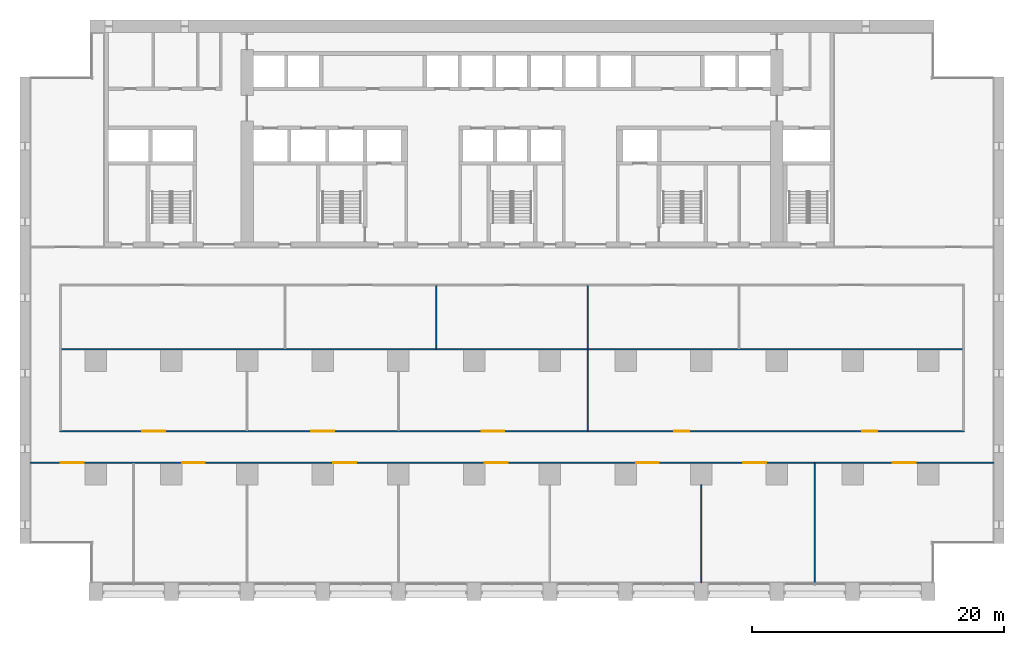
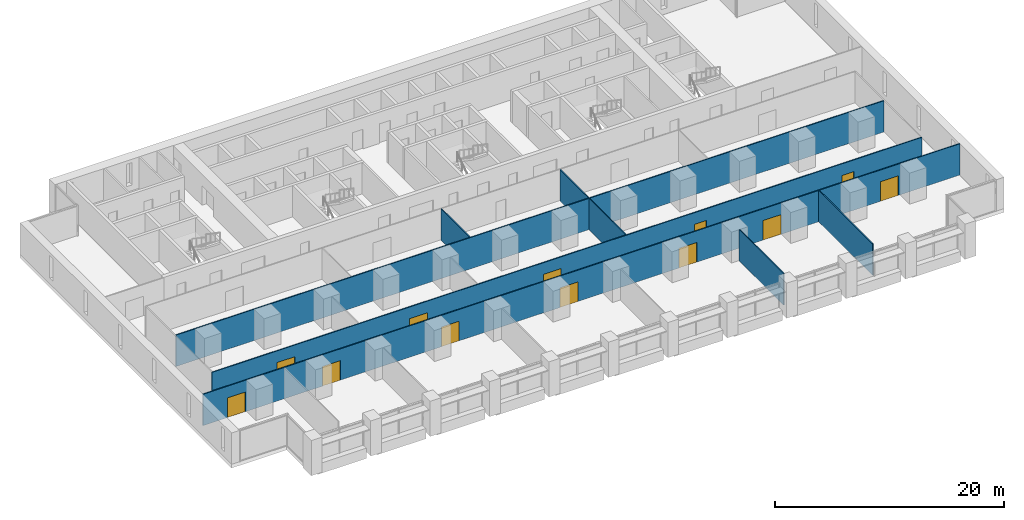
# One storey, part 9 of 18: 12 doors, 8 walls, 12 openings.
"""IFC4 building model written with IfcOpenShell, lengths in metres."""

from ifc_helpers import new_model, si_unit, direction, frame, frame_2d, origin, place, context, subcontext, project, spatial, rectangle, extrude, material, layer, layer_set, type_object, element, fill, save


model = new_model("IFC4")

# Units and contexts
model_context = context("Model", 3, precision=1e-05, world=origin(), true_north=direction((0.0, 1.0)))
body_context = subcontext(model_context, "Body", "Model", "MODEL_VIEW")
ifc_project = project(units=[si_unit("LENGTHUNIT", "METRE"), si_unit("AREAUNIT", "SQUARE_METRE"), si_unit("VOLUMEUNIT", "CUBIC_METRE"), si_unit("PLANEANGLEUNIT", "RADIAN"), si_unit("MASSUNIT", "GRAM", prefix="KILO")], contexts=[model_context])

# Site, building, storey
site_placement = place(None, origin())
site = spatial("IfcSite", under=ifc_project, at=site_placement, CompositionType="ELEMENT")
building_placement = place(site_placement, origin())
building = spatial("IfcBuilding", under=site, at=building_placement, Name="Calvaro Tower", CompositionType="ELEMENT")
storey_placement = place(building_placement, frame((0.0, 0.0, 52.5)))
storey = spatial("IfcBuildingStorey", under=building, at=storey_placement, Name="L12", CompositionType="ELEMENT", Elevation=52.5)

# Wall, openings, doors
ifc_material_1 = material(Name="Plasterboard on steel studs", Category="steel")
ifc_layer_1 = layer(ifc_material_1, 0.10009765625)
ifc_layer_set_1 = layer_set([ifc_layer_1], Name="Plasterboard on steel studs")
wall_type_1 = type_object("IfcWallType", Name="Partition 100", PredefinedType="PARTITIONING", material=ifc_layer_set_1)
wall_1_placement = place(storey_placement, frame((0.800048828125, 10.89990234375, 0.0), z_axis=(0.0, 0.0, 1.0), x_axis=(1.0, 0.0, 0.0)))
wall_1 = element("IfcWall", 1, at=wall_1_placement, inside=storey, type_object=wall_type_1, Name="Partition T11.W001", PredefinedType="PARTITIONING", context=body_context, shape_type="SweptSolid", body=[
    extrude(rectangle(XDim=76.39990234375, YDim=0.10009765625, at=frame_2d((38.199951171875, 0.0))), origin(), (0.0, 0.0, 1.0), 3.35009765625),
])
opening_1_placement = place(wall_1_placement, frame((12.050048828125, 0.0, 0.0)))
opening_1 = element("IfcOpeningElement", 2, at=opening_1_placement, cuts=wall_1, Name="Opening T11.001", PredefinedType="OPENING", context=body_context, shape_type="SweptSolid", body=[
    extrude(rectangle(XDim=1.800048828125, YDim=2.10009765625, at=frame_2d((0.89990234375, 1.050048828125))), frame((0.0, 0.06005859375, 0.0), z_axis=(0.0, -1.0, 0.0), x_axis=(1.0, 0.0, 0.0)), (0.0, 0.0, 1.0), 0.1201171875),
])
opening_2_placement = place(wall_1_placement, frame((56.550048828125, 0.0, 0.0)))
opening_2 = element("IfcOpeningElement", 3, at=opening_2_placement, cuts=wall_1, Name="Opening T11.002", PredefinedType="OPENING", context=body_context, shape_type="SweptSolid", body=[
    extrude(rectangle(XDim=1.800048828125, YDim=2.10009765625, at=frame_2d((0.89990234375, 1.050048828125))), frame((0.0, 0.06005859375, 0.0), z_axis=(0.0, -1.0, 0.0), x_axis=(1.0, 0.0, 0.0)), (0.0, 0.0, 1.0), 0.1201171875),
])
opening_3_placement = place(wall_1_placement, frame((24.050048828125, 0.0, 0.0)))
opening_3 = element("IfcOpeningElement", 4, at=opening_3_placement, cuts=wall_1, Name="Opening T11.003", PredefinedType="OPENING", context=body_context, shape_type="SweptSolid", body=[
    extrude(rectangle(XDim=1.800048828125, YDim=2.10009765625, at=frame_2d((0.89990234375, 1.050048828125))), frame((0.0, 0.06005859375, 0.0), z_axis=(0.0, -1.0, 0.0), x_axis=(1.0, 0.0, 0.0)), (0.0, 0.0, 1.0), 0.1201171875),
])
opening_4_placement = place(wall_1_placement, frame((36.050048828125, 0.0, 0.0)))
opening_4 = element("IfcOpeningElement", 5, at=opening_4_placement, cuts=wall_1, Name="Opening T11.004", PredefinedType="OPENING", context=body_context, shape_type="SweptSolid", body=[
    extrude(rectangle(XDim=1.800048828125, YDim=2.10009765625, at=frame_2d((0.89990234375, 1.050048828125))), frame((0.0, 0.06005859375, 0.0), z_axis=(0.0, -1.0, 0.0), x_axis=(1.0, 0.0, 0.0)), (0.0, 0.0, 1.0), 0.1201171875),
])
opening_5_placement = place(wall_1_placement, frame((48.050048828125, 0.0, 0.0)))
opening_5 = element("IfcOpeningElement", 6, at=opening_5_placement, cuts=wall_1, Name="Opening T11.005", PredefinedType="OPENING", context=body_context, shape_type="SweptSolid", body=[
    extrude(rectangle(XDim=1.800048828125, YDim=2.10009765625, at=frame_2d((0.89990234375, 1.050048828125))), frame((0.0, 0.06005859375, 0.0), z_axis=(0.0, -1.0, 0.0), x_axis=(1.0, 0.0, 0.0)), (0.0, 0.0, 1.0), 0.1201171875),
])
opening_6_placement = place(wall_1_placement, frame((68.39990234375, 0.0, 0.0)))
opening_6 = element("IfcOpeningElement", 7, at=opening_6_placement, cuts=wall_1, Name="Opening T11.006", PredefinedType="OPENING", context=body_context, shape_type="SweptSolid", body=[
    extrude(rectangle(XDim=1.800048828125, YDim=2.10009765625, at=frame_2d((0.89990234375, 1.050048828125))), frame((0.0, 0.06005859375, 0.0), z_axis=(0.0, -1.0, 0.0), x_axis=(1.0, 0.0, 0.0)), (0.0, 0.0, 1.0), 0.1201171875),
])
opening_7_placement = place(wall_1_placement, frame((2.449951171875, 0.0, 0.0)))
opening_7 = element("IfcOpeningElement", 8, at=opening_7_placement, cuts=wall_1, Name="Opening T11.007", PredefinedType="OPENING", context=body_context, shape_type="SweptSolid", body=[
    extrude(rectangle(XDim=1.800048828125, YDim=2.10009765625, at=frame_2d((0.89990234375, 1.050048828125))), frame((0.0, 0.06005859375, 0.0), z_axis=(0.0, -1.0, 0.0), x_axis=(1.0, 0.0, 0.0)), (0.0, 0.0, 1.0), 0.1201171875),
])
ifc_material_2 = material(Name="Timber", Category="wood")
door_type_1 = type_object("IfcDoorType", Name="Internal double door 1800 x 2100", OperationType="DOUBLE_DOOR_SINGLE_SWING", PredefinedType="DOOR", material=ifc_material_2)
door_1_placement = place(opening_1_placement, origin())
door_1 = element("IfcDoor", 9, at=door_1_placement, inside=storey, type_object=door_type_1, Name="Door T11.001", OperationType="DOUBLE_DOOR_SINGLE_SWING", OverallHeight=2.10009765625, OverallWidth=1.800048828125, PredefinedType="DOOR", context=body_context, shape_type="SweptSolid", body=[
    extrude(rectangle(XDim=1.800048828125, YDim=2.10009765625, at=frame_2d((0.89990234375, 1.050048828125))), frame((0.0, 0.02490234375, 0.0), z_axis=(0.0, -1.0, 0.0), x_axis=(1.0, 0.0, 0.0)), (0.0, 0.0, 1.0), 0.050048828125),
])
fill(opening_1, door_1)
door_2_placement = place(opening_2_placement, origin())
door_2 = element("IfcDoor", 10, at=door_2_placement, inside=storey, type_object=door_type_1, Name="Door T11.002", OperationType="DOUBLE_DOOR_SINGLE_SWING", OverallHeight=2.10009765625, OverallWidth=1.800048828125, PredefinedType="DOOR", context=body_context, shape_type="SweptSolid", body=[
    extrude(rectangle(XDim=1.800048828125, YDim=2.10009765625, at=frame_2d((0.89990234375, 1.050048828125))), frame((0.0, 0.02490234375, 0.0), z_axis=(0.0, -1.0, 0.0), x_axis=(1.0, 0.0, 0.0)), (0.0, 0.0, 1.0), 0.050048828125),
])
fill(opening_2, door_2)
door_3_placement = place(opening_3_placement, origin())
door_3 = element("IfcDoor", 11, at=door_3_placement, inside=storey, type_object=door_type_1, Name="Door T11.003", OperationType="DOUBLE_DOOR_SINGLE_SWING", OverallHeight=2.10009765625, OverallWidth=1.800048828125, PredefinedType="DOOR", context=body_context, shape_type="SweptSolid", body=[
    extrude(rectangle(XDim=1.800048828125, YDim=2.10009765625, at=frame_2d((0.89990234375, 1.050048828125))), frame((0.0, 0.02490234375, 0.0), z_axis=(0.0, -1.0, 0.0), x_axis=(1.0, 0.0, 0.0)), (0.0, 0.0, 1.0), 0.050048828125),
])
fill(opening_3, door_3)
door_4_placement = place(opening_4_placement, origin())
door_4 = element("IfcDoor", 12, at=door_4_placement, inside=storey, type_object=door_type_1, Name="Door T11.004", OperationType="DOUBLE_DOOR_SINGLE_SWING", OverallHeight=2.10009765625, OverallWidth=1.800048828125, PredefinedType="DOOR", context=body_context, shape_type="SweptSolid", body=[
    extrude(rectangle(XDim=1.800048828125, YDim=2.10009765625, at=frame_2d((0.89990234375, 1.050048828125))), frame((0.0, 0.02490234375, 0.0), z_axis=(0.0, -1.0, 0.0), x_axis=(1.0, 0.0, 0.0)), (0.0, 0.0, 1.0), 0.050048828125),
])
fill(opening_4, door_4)
door_5_placement = place(opening_5_placement, origin())
door_5 = element("IfcDoor", 13, at=door_5_placement, inside=storey, type_object=door_type_1, Name="Door T11.005", OperationType="DOUBLE_DOOR_SINGLE_SWING", OverallHeight=2.10009765625, OverallWidth=1.800048828125, PredefinedType="DOOR", context=body_context, shape_type="SweptSolid", body=[
    extrude(rectangle(XDim=1.800048828125, YDim=2.10009765625, at=frame_2d((0.89990234375, 1.050048828125))), frame((0.0, 0.02490234375, 0.0), z_axis=(0.0, -1.0, 0.0), x_axis=(1.0, 0.0, 0.0)), (0.0, 0.0, 1.0), 0.050048828125),
])
fill(opening_5, door_5)
door_6_placement = place(opening_6_placement, origin())
door_6 = element("IfcDoor", 14, at=door_6_placement, inside=storey, type_object=door_type_1, Name="Door T11.006", OperationType="DOUBLE_DOOR_SINGLE_SWING", OverallHeight=2.10009765625, OverallWidth=1.800048828125, PredefinedType="DOOR", context=body_context, shape_type="SweptSolid", body=[
    extrude(rectangle(XDim=1.800048828125, YDim=2.10009765625, at=frame_2d((0.89990234375, 1.050048828125))), frame((0.0, 0.02490234375, 0.0), z_axis=(0.0, -1.0, 0.0), x_axis=(1.0, 0.0, 0.0)), (0.0, 0.0, 1.0), 0.050048828125),
])
fill(opening_6, door_6)
door_7_placement = place(opening_7_placement, origin())
door_7 = element("IfcDoor", 15, at=door_7_placement, inside=storey, type_object=door_type_1, Name="Door T11.007", OperationType="DOUBLE_DOOR_SINGLE_SWING", OverallHeight=2.10009765625, OverallWidth=1.800048828125, PredefinedType="DOOR", context=body_context, shape_type="SweptSolid", body=[
    extrude(rectangle(XDim=1.800048828125, YDim=2.10009765625, at=frame_2d((0.89990234375, 1.050048828125))), frame((0.0, 0.02490234375, 0.0), z_axis=(0.0, -1.0, 0.0), x_axis=(1.0, 0.0, 0.0)), (0.0, 0.0, 1.0), 0.050048828125),
])
fill(opening_7, door_7)

wall_2_placement = place(storey_placement, frame((3.14990234375, 13.39990234375, 0.0), z_axis=(0.0, 0.0, 1.0), x_axis=(1.0, 0.0, 0.0)))
wall_2 = element("IfcWall", 16, at=wall_2_placement, inside=storey, type_object=wall_type_1, Name="Partition T11.W002", PredefinedType="PARTITIONING", context=body_context, shape_type="SweptSolid", body=[
    extrude(rectangle(XDim=71.7001953125, YDim=0.10009765625, at=frame_2d((35.85009765625, 0.0))), origin(), (0.0, 0.0, 1.0), 3.35009765625),
])
opening_8_placement = place(wall_2_placement, frame((6.550048828125, 0.0, 0.0)))
opening_8 = element("IfcOpeningElement", 17, at=opening_8_placement, cuts=wall_2, Name="Opening T11.008", PredefinedType="OPENING", context=body_context, shape_type="SweptSolid", body=[
    extrude(rectangle(XDim=1.800048828125, YDim=2.10009765625, at=frame_2d((0.89990234375, 1.050048828125))), frame((0.0, 0.06005859375, 0.0), z_axis=(0.0, -1.0, 0.0), x_axis=(1.0, 0.0, 0.0)), (0.0, 0.0, 1.0), 0.1201171875),
])
opening_9_placement = place(wall_2_placement, frame((33.449951171875, 0.0, 0.0)))
opening_9 = element("IfcOpeningElement", 18, at=opening_9_placement, cuts=wall_2, Name="Opening T11.009", PredefinedType="OPENING", context=body_context, shape_type="SweptSolid", body=[
    extrude(rectangle(XDim=1.800048828125, YDim=2.10009765625, at=frame_2d((0.89990234375, 1.050048828125))), frame((0.0, 0.06005859375, 0.0), z_axis=(0.0, -1.0, 0.0), x_axis=(1.0, 0.0, 0.0)), (0.0, 0.0, 1.0), 0.1201171875),
])
opening_10_placement = place(wall_2_placement, frame((48.699951171875, 0.0, 0.0)))
opening_10 = element("IfcOpeningElement", 19, at=opening_10_placement, cuts=wall_2, Name="Opening T11.010", PredefinedType="OPENING", context=body_context, shape_type="SweptSolid", body=[
    extrude(rectangle(XDim=1.199951171875, YDim=2.10009765625, at=frame_2d((0.60009765625, 1.050048828125))), frame((0.0, 0.06005859375, 0.0), z_axis=(0.0, -1.0, 0.0), x_axis=(1.0, 0.0, 0.0)), (0.0, 0.0, 1.0), 0.1201171875),
])
opening_11_placement = place(wall_2_placement, frame((63.60009765625, 0.0, 0.0)))
opening_11 = element("IfcOpeningElement", 20, at=opening_11_placement, cuts=wall_2, Name="Opening T11.011", PredefinedType="OPENING", context=body_context, shape_type="SweptSolid", body=[
    extrude(rectangle(XDim=1.199951171875, YDim=2.10009765625, at=frame_2d((0.60009765625, 1.050048828125))), frame((0.0, 0.06005859375, 0.0), z_axis=(0.0, -1.0, 0.0), x_axis=(1.0, 0.0, 0.0)), (0.0, 0.0, 1.0), 0.1201171875),
])
opening_12_placement = place(wall_2_placement, frame((19.949951171875, 0.0, 0.0)))
opening_12 = element("IfcOpeningElement", 21, at=opening_12_placement, cuts=wall_2, Name="Opening T11.012", PredefinedType="OPENING", context=body_context, shape_type="SweptSolid", body=[
    extrude(rectangle(XDim=1.800048828125, YDim=2.10009765625, at=frame_2d((0.89990234375, 1.050048828125))), frame((0.0, 0.06005859375, 0.0), z_axis=(0.0, -1.0, 0.0), x_axis=(1.0, 0.0, 0.0)), (0.0, 0.0, 1.0), 0.1201171875),
])
door_8_placement = place(opening_8_placement, origin())
door_8 = element("IfcDoor", 22, at=door_8_placement, inside=storey, type_object=door_type_1, Name="Door T11.008", OperationType="DOUBLE_DOOR_SINGLE_SWING", OverallHeight=2.10009765625, OverallWidth=1.800048828125, PredefinedType="DOOR", context=body_context, shape_type="SweptSolid", body=[
    extrude(rectangle(XDim=1.800048828125, YDim=2.10009765625, at=frame_2d((0.89990234375, 1.050048828125))), frame((0.0, 0.02490234375, 0.0), z_axis=(0.0, -1.0, 0.0), x_axis=(1.0, 0.0, 0.0)), (0.0, 0.0, 1.0), 0.050048828125),
])
fill(opening_8, door_8)
door_9_placement = place(opening_9_placement, origin())
door_9 = element("IfcDoor", 23, at=door_9_placement, inside=storey, type_object=door_type_1, Name="Door T11.009", OperationType="DOUBLE_DOOR_SINGLE_SWING", OverallHeight=2.10009765625, OverallWidth=1.800048828125, PredefinedType="DOOR", context=body_context, shape_type="SweptSolid", body=[
    extrude(rectangle(XDim=1.800048828125, YDim=2.10009765625, at=frame_2d((0.89990234375, 1.050048828125))), frame((0.0, 0.02490234375, 0.0), z_axis=(0.0, -1.0, 0.0), x_axis=(1.0, 0.0, 0.0)), (0.0, 0.0, 1.0), 0.050048828125),
])
fill(opening_9, door_9)
door_10_placement = place(opening_12_placement, origin())
door_10 = element("IfcDoor", 24, at=door_10_placement, inside=storey, type_object=door_type_1, Name="Door T11.012", OperationType="DOUBLE_DOOR_SINGLE_SWING", OverallHeight=2.10009765625, OverallWidth=1.800048828125, PredefinedType="DOOR", context=body_context, shape_type="SweptSolid", body=[
    extrude(rectangle(XDim=1.800048828125, YDim=2.10009765625, at=frame_2d((0.89990234375, 1.050048828125))), frame((0.0, 0.02490234375, 0.0), z_axis=(0.0, -1.0, 0.0), x_axis=(1.0, 0.0, 0.0)), (0.0, 0.0, 1.0), 0.050048828125),
])
fill(opening_12, door_10)
ifc_material_3 = material(Name="Timber", Category="wood")
door_type_2 = type_object("IfcDoorType", Name="Internal single door 1200 x 2100", OperationType="SINGLE_SWING_LEFT", PredefinedType="DOOR", material=ifc_material_3)
door_11_placement = place(opening_10_placement, origin())
door_11 = element("IfcDoor", 25, at=door_11_placement, inside=storey, type_object=door_type_2, Name="Door T11.010", OperationType="SINGLE_SWING_RIGHT", OverallHeight=2.10009765625, OverallWidth=1.199951171875, PredefinedType="DOOR", context=body_context, shape_type="SweptSolid", body=[
    extrude(rectangle(XDim=1.199951171875, YDim=2.10009765625, at=frame_2d((0.60009765625, 1.050048828125))), frame((0.0, 0.02490234375, 0.0), z_axis=(0.0, -1.0, 0.0), x_axis=(1.0, 0.0, 0.0)), (0.0, 0.0, 1.0), 0.050048828125),
])
fill(opening_10, door_11)
door_12_placement = place(opening_11_placement, origin())
door_12 = element("IfcDoor", 26, at=door_12_placement, inside=storey, type_object=door_type_2, Name="Door T11.011", OperationType="SINGLE_SWING_RIGHT", OverallHeight=2.10009765625, OverallWidth=1.199951171875, PredefinedType="DOOR", context=body_context, shape_type="SweptSolid", body=[
    extrude(rectangle(XDim=1.199951171875, YDim=2.10009765625, at=frame_2d((0.60009765625, 1.050048828125))), frame((0.0, 0.02490234375, 0.0), z_axis=(0.0, -1.0, 0.0), x_axis=(1.0, 0.0, 0.0)), (0.0, 0.0, 1.0), 0.050048828125),
])
fill(opening_11, door_12)

# Walls
wall_3_placement = place(storey_placement, frame((45.0, 13.449951171875, 0.0), z_axis=(0.0, 0.0, 1.0), x_axis=(0.0, 1.0, 0.0)))
element("IfcWall", 27, at=wall_3_placement, inside=storey, type_object=wall_type_1, Name="Partition T11.W016", PredefinedType="PARTITIONING", context=body_context, shape_type="SweptSolid", body=[
    extrude(rectangle(XDim=6.400146484375, YDim=0.10009765625, at=frame_2d((3.2001953125, 0.0))), origin(), (0.0, 0.0, 1.0), 3.35009765625),
])
wall_4_placement = place(storey_placement, frame((54.0, 1.39990234375, 0.0), z_axis=(0.0, 0.0, 1.0), x_axis=(0.0, 1.0, 0.0)))
element("IfcWall", 28, at=wall_4_placement, inside=storey, type_object=wall_type_1, Name="Partition T11.W018", PredefinedType="PARTITIONING", context=body_context, shape_type="SweptSolid", body=[
    extrude(rectangle(XDim=7.75, YDim=0.10009765625, at=frame_2d((3.875, 0.0))), origin(), (0.0, 0.0, 1.0), 3.35009765625),
])
wall_5_placement = place(storey_placement, frame((63.0, 1.39990234375, 0.0), z_axis=(0.0, 0.0, 1.0), x_axis=(0.0, 1.0, 0.0)))
element("IfcWall", 29, at=wall_5_placement, inside=storey, type_object=wall_type_1, Name="Partition T11.W020", PredefinedType="PARTITIONING", context=body_context, shape_type="SweptSolid", body=[
    extrude(rectangle(XDim=9.4501953125, YDim=0.10009765625, at=frame_2d((4.72509765625, 0.0))), origin(), (0.0, 0.0, 1.0), 3.35009765625),
])
ifc_material_4 = material(Name="Plasterboard on steel studs", Category="steel")
ifc_layer_2 = layer(ifc_material_4, 0.10009765625)
ifc_layer_set_2 = layer_set([ifc_layer_2], Name="Plasterboard on steel studs")
wall_type_2 = type_object("IfcWallType", Name="Partition 100 REI 120", PredefinedType="PARTITIONING", material=ifc_layer_set_2)
wall_6_placement = place(storey_placement, frame((3.25, 19.89990234375, 0.0), z_axis=(0.0, 0.0, 1.0), x_axis=(1.0, 0.0, 0.0)))
element("IfcWall", 30, at=wall_6_placement, inside=storey, type_object=wall_type_2, Name="Partition T11.W003", PredefinedType="PARTITIONING", context=body_context, shape_type="SweptSolid", body=[
    extrude(rectangle(XDim=71.5, YDim=0.10009765625, at=frame_2d((35.75, 0.0))), origin(), (0.0, 0.0, 1.0), 3.35009765625),
])
for number, where, z_axis, x_axis, name in (
    (31, (33.0, 19.949951171875, 0.0), (0.0, 0.0, 1.0), (0.0, 1.0, 0.0), "Partition T11.W014"),
    (32, (45.0, 19.949951171875, 0.0), (0.0, 0.0, 1.0), (0.0, 1.0, 0.0), "Partition T11.W017"),
):
    element("IfcWall", number, at=place(storey_placement, frame(where, z_axis=z_axis, x_axis=x_axis)), inside=storey, type_object=wall_type_2, Name=name, PredefinedType="PARTITIONING", context=body_context, shape_type="SweptSolid", body=[
        extrude(rectangle(XDim=5.0, YDim=0.10009765625, at=frame_2d((2.5, 0.0))), origin(), (0.0, 0.0, 1.0), 3.35009765625),
    ])

save(model, "model.ifc")
